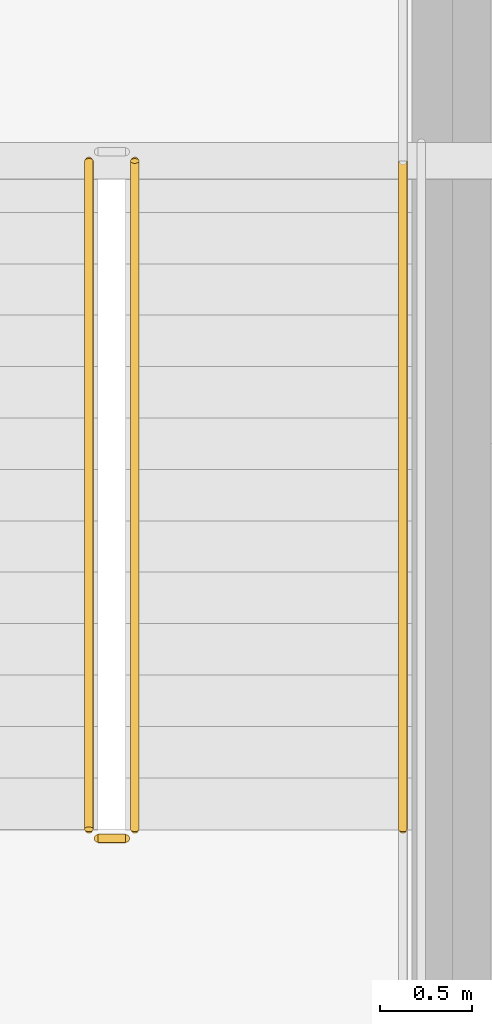
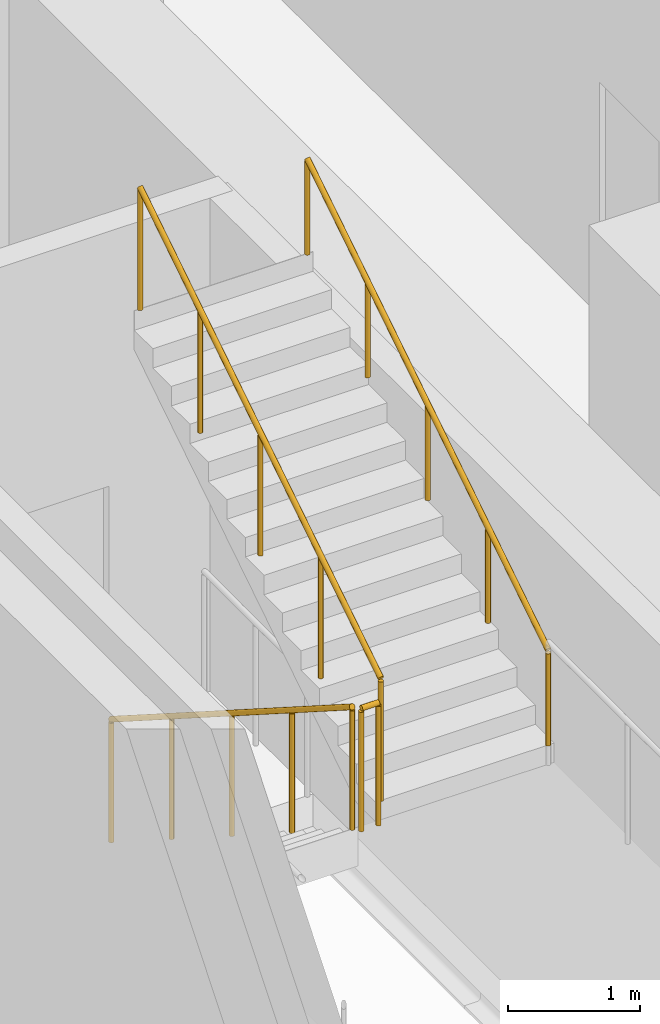
# One storey, part 26 of 32: 4 railings.
"""IFC4 building model written with IfcOpenShell, lengths in metres."""

from ifc_helpers import new_model, si_unit, direction, frame, origin, origin_2d, place, context, subcontext, project, spatial, circle, extrude, material, type_object, element, save


model = new_model("IFC4")

# Units and contexts
model_context = context("Model", 3, precision=1e-05, world=origin(), true_north=direction((0.0, 1.0)))
body_context = subcontext(model_context, "Body", "Model", "MODEL_VIEW")
ifc_project = project(units=[si_unit("LENGTHUNIT", "METRE"), si_unit("AREAUNIT", "SQUARE_METRE"), si_unit("VOLUMEUNIT", "CUBIC_METRE"), si_unit("PLANEANGLEUNIT", "RADIAN"), si_unit("MASSUNIT", "GRAM", prefix="KILO")], contexts=[model_context])

# Site, building, storey
site_placement = place(None, origin())
site = spatial("IfcSite", under=ifc_project, at=site_placement, CompositionType="ELEMENT")
building_placement = place(site_placement, origin())
building = spatial("IfcBuilding", under=site, at=building_placement, Name="Khairoan Windgate Tower", CompositionType="ELEMENT")
storey_placement = place(building_placement, frame((0.0, 0.0, 16.0)))
storey = spatial("IfcBuildingStorey", under=building, at=storey_placement, Name="L04", CompositionType="ELEMENT", Elevation=16.0)

# Railings
ifc_material_1 = material(Name="Anodised Bronze Aluminium 6063-T6", Category="aluminium")
railing_type_1 = type_object("IfcRailingType", Name="Stair Wall Handrail SHR-900", PredefinedType="HANDRAIL", material=ifc_material_1)
railing_1_placement = place(storey_placement, frame((19.3701171875, -12.89990234375, 2.678466796875)))
element("IfcRailing", 1, at=railing_1_placement, inside=storey, type_object=railing_type_1, Name="L04 ST1 stair handrail 2", PredefinedType="HANDRAIL", context=body_context, shape_type="SweptSolid", body=[
    extrude(circle(Radius=0.02392578125, at=origin_2d()), frame((0.0, 0.0, 0.8759765625), z_axis=(0.0, 0.843111507901, 0.53773877045), x_axis=(-1.0, 0.0, 0.0)), (0.0, 0.0, 1.0), 4.317138671875),
    extrude(circle(Radius=0.02099609375, at=origin_2d()), origin(), (0.0, 0.0, 1.0), 0.851806640625),
    extrude(circle(Radius=0.02099609375, at=origin_2d()), frame((0.0, 0.909912109375, 0.580322265625)), (0.0, 0.0, 1.0), 0.851806640625),
    extrude(circle(Radius=0.02099609375, at=origin_2d()), frame((0.0, 1.81982421875, 1.16064453125)), (0.0, 0.0, 1.0), 0.851806640625),
    extrude(circle(Radius=0.02099609375, at=origin_2d()), frame((0.0, 2.72998046875, 1.7412109375)), (0.0, 0.0, 1.0), 0.851806640625),
    extrude(circle(Radius=0.02099609375, at=origin_2d()), frame((0.0, 3.639892578125, 2.321533203125)), (0.0, 0.0, 1.0), 0.851806640625),
])
ifc_material_2 = material(Name="Steel S355", Category="steel")
railing_type_2 = type_object("IfcRailingType", Name="Stairwell Safety Guardrail SGR-1150", PredefinedType="GUARDRAIL", material=ifc_material_2)
railing_2_placement = place(storey_placement, frame((17.659912109375, -9.260009765625, 0.178466796875)))
element("IfcRailing", 2, at=railing_2_placement, inside=storey, type_object=railing_type_2, Name="L04 ST1 stair guard 1", PredefinedType="GUARDRAIL", context=body_context, shape_type="SweptSolid", body=[
    extrude(circle(Radius=0.02392578125, at=origin_2d()), frame((0.0, 0.0, 1.1259765625), z_axis=(0.0, -0.843111507901, 0.53773877045), x_axis=(1.0, 0.0, 0.0)), (0.0, 0.0, 1.0), 4.317138671875),
    extrude(circle(Radius=0.02099609375, at=origin_2d()), origin(), (0.0, 0.0, 1.0), 1.101806640625),
    extrude(circle(Radius=0.02099609375, at=origin_2d()), frame((0.0, -0.909912109375, 0.580322265625)), (0.0, 0.0, 1.0), 1.101806640625),
    extrude(circle(Radius=0.02099609375, at=origin_2d()), frame((0.0, -1.81982421875, 1.16064453125)), (0.0, 0.0, 1.0), 1.101806640625),
    extrude(circle(Radius=0.02099609375, at=origin_2d()), frame((0.0, -2.72998046875, 1.7412109375)), (0.0, 0.0, 1.0), 1.101806640625),
    extrude(circle(Radius=0.02099609375, at=origin_2d()), frame((0.0, -3.639892578125, 2.321533203125)), (0.0, 0.0, 1.0), 1.101806640625),
])
railing_3_placement = place(storey_placement, frame((17.7099609375, -12.949951171875, 2.5)))
element("IfcRailing", 3, at=railing_3_placement, inside=storey, type_object=railing_type_2, Name="L04 ST1 stair guard 2", PredefinedType="GUARDRAIL", context=body_context, shape_type="SweptSolid", body=[
    extrude(circle(Radius=0.02392578125, at=origin_2d()), frame((0.0, 0.0, 1.1259765625), z_axis=(1.0, 0.0, 0.0), x_axis=(0.0, 1.0, 0.0)), (0.0, 0.0, 1.0), 0.150146484375),
    extrude(circle(Radius=0.02099609375, at=origin_2d()), origin(), (0.0, 0.0, 1.0), 1.101806640625),
    extrude(circle(Radius=0.02099609375, at=origin_2d()), frame((0.150146484375, 0.0, 0.0)), (0.0, 0.0, 1.0), 1.101806640625),
])
railing_4_placement = place(storey_placement, frame((17.909912109375, -12.89990234375, 2.678466796875)))
element("IfcRailing", 4, at=railing_4_placement, inside=storey, type_object=railing_type_2, Name="L04 ST1 stair guard 6", PredefinedType="GUARDRAIL", context=body_context, shape_type="SweptSolid", body=[
    extrude(circle(Radius=0.02392578125, at=origin_2d()), frame((0.0, 0.0, 1.1259765625), z_axis=(0.0, 0.843111507901, 0.53773877045), x_axis=(-1.0, 0.0, 0.0)), (0.0, 0.0, 1.0), 4.317138671875),
    extrude(circle(Radius=0.02099609375, at=origin_2d()), origin(), (0.0, 0.0, 1.0), 1.101806640625),
    extrude(circle(Radius=0.02099609375, at=origin_2d()), frame((0.0, 0.909912109375, 0.580322265625)), (0.0, 0.0, 1.0), 1.101806640625),
    extrude(circle(Radius=0.02099609375, at=origin_2d()), frame((0.0, 1.81982421875, 1.16064453125)), (0.0, 0.0, 1.0), 1.101806640625),
    extrude(circle(Radius=0.02099609375, at=origin_2d()), frame((0.0, 2.72998046875, 1.7412109375)), (0.0, 0.0, 1.0), 1.101806640625),
    extrude(circle(Radius=0.02099609375, at=origin_2d()), frame((0.0, 3.639892578125, 2.321533203125)), (0.0, 0.0, 1.0), 1.101806640625),
])

save(model, "model.ifc")
